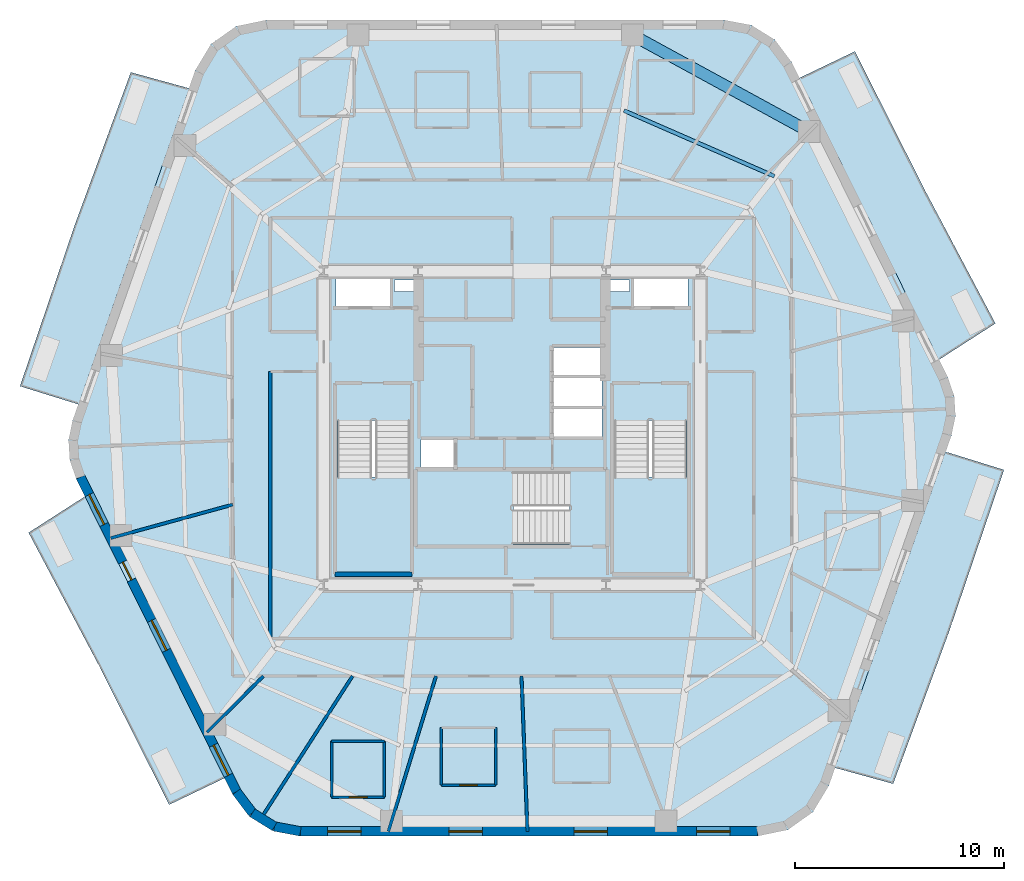
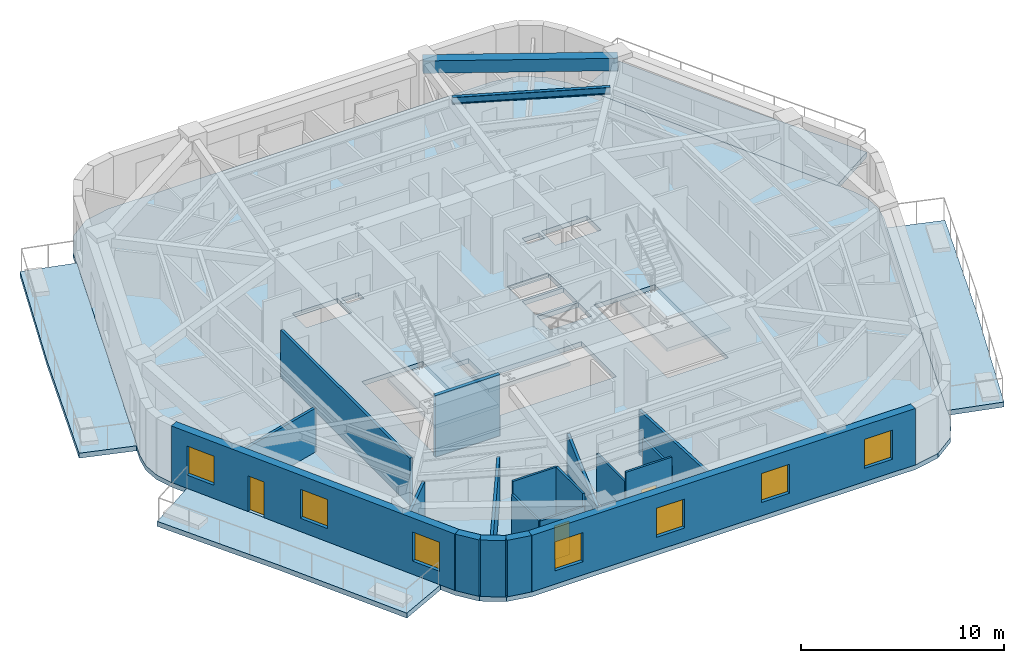
# One storey, part 2 of 10: 19 walls, 8 slabs, 7 windows, 3 doors, 2 beams, 10 openings, 3 elements without a shape of their own.
"""IFC4 building model written with IfcOpenShell, lengths in metres."""

from ifc_helpers import new_model, si_unit, direction, frame, frame_2d, origin, origin_2d, place, context, subcontext, project, spatial, polyline, rectangle, i_section, outline, extrude, material, layer, layer_set, material_profile, profile_set, type_object, element, fill, aggregate, save


model = new_model("IFC4")

# Units and contexts
model_context = context("Model", 3, precision=1e-05, world=origin(), true_north=direction((0.0, 1.0)))
body_context = subcontext(model_context, "Body", "Model", "MODEL_VIEW")
ifc_project = project(units=[si_unit("LENGTHUNIT", "METRE"), si_unit("AREAUNIT", "SQUARE_METRE"), si_unit("VOLUMEUNIT", "CUBIC_METRE"), si_unit("PLANEANGLEUNIT", "RADIAN"), si_unit("MASSUNIT", "GRAM", prefix="KILO")], contexts=[model_context])

# Site, building, storey
site_placement = place(None, origin())
site = spatial("IfcSite", under=ifc_project, at=site_placement, CompositionType="ELEMENT")
building_placement = place(site_placement, origin())
building = spatial("IfcBuilding", under=site, at=building_placement, Name="Kilnhurst Terrace Hotel", CompositionType="ELEMENT")
storey_placement = place(building_placement, frame((0.0, 0.0, 175.60009765625)))
storey = spatial("IfcBuildingStorey", under=building, at=storey_placement, Name="L43", CompositionType="ELEMENT", Elevation=175.60009765625)

# Beams
ifc_material_1 = material(Name="Concrete C50/60", Category="concrete")
ifc_material_profile_1 = material_profile(ifc_material_1, rectangle(XDim=0.550048828125, YDim=0.75, at=origin_2d()), Name="RC550X750")
ifc_profile_set_1 = profile_set([ifc_material_profile_1], Name="Concrete C50/60")
beam_type_1 = type_object("IfcBeamType", Name="BM-SPN-550X750", PredefinedType="SPANDREL", material=ifc_profile_set_1)
beam_1_placement = place(storey_placement, frame((14.2041015625, 14.166015625, 3.02490234375), z_axis=(-0.87766189723, 0.479280287672, 0.0), x_axis=(-0.479280287672, -0.87766189723, 0.0)))
element("IfcBeam", 1, at=beam_1_placement, inside=storey, type_object=beam_type_1, Name="L43 Perimeter Spandrel Beam 6", PredefinedType="SPANDREL", context=body_context, shape_type="SweptSolid", body=[
    extrude(rectangle(XDim=0.550048828125, YDim=0.75, at=origin_2d()), origin(), (0.0, 0.0, 1.0), 9.626953125),
])
ifc_material_2 = material(Name="Steel ASTM A992 Grade 50", Category="steel")
ifc_material_profile_2 = material_profile(ifc_material_2, i_section(OverallWidth=0.180908203125, OverallDepth=0.417236328125, WebThickness=0.010986328125, FlangeThickness=0.018310546875, at=origin_2d()), Name="W16X57")
ifc_profile_set_2 = profile_set([ifc_material_profile_2], Name="Steel ASTM A992 Grade 50")
beam_type_2 = type_object("IfcBeamType", Name="JST-STL-W16X57", PredefinedType="JOIST", material=ifc_profile_set_2)
beam_2_placement = place(storey_placement, frame((12.538818359375, 12.032958984375, 3.19091796875), z_axis=(-0.916443679054, 0.400163695407, 0.0), x_axis=(-0.400163695407, -0.916443679054, 0.0)))
element("IfcBeam", 2, at=beam_2_placement, inside=storey, type_object=beam_type_2, Name="L43 Secondary Floor Steel Joist OUT.6", PredefinedType="JOIST", context=body_context, shape_type="SweptSolid", body=[
    extrude(i_section(OverallWidth=0.180908203125, OverallDepth=0.417236328125, WebThickness=0.010986328125, FlangeThickness=0.018310546875, at=origin_2d()), origin(), (0.0, 0.0, 1.0), 7.84033203125),
])

# Slabs
ifc_layer_1 = layer(ifc_material_1, 0.300048828125, Name="Concrete C50/60")
ifc_layer_set_1 = layer_set([ifc_layer_1], Name="Concrete C50/60")
slab_type_1 = type_object("IfcSlabType", Name="SLB-BAL-300", PredefinedType="FLOOR", material=ifc_layer_set_1)
slab_1_placement = place(storey_placement, frame((0.0, 0.0, -0.300048828125)))
element("IfcSlab", 3, at=slab_1_placement, inside=storey, type_object=slab_type_1, Name="L43 Cantilevered Planted Terrace Slab BAL-L1A", PredefinedType="FLOOR", context=body_context, shape_type="SweptSolid", body=[
    extrude(outline(polyline([(20.892333984375, -9.7119140625), (18.216064453125, -17.0), (15.420654296875, -16.2314453125), (20.708251953125, -1.128662109375), (23.511962890625, -2.0), (20.892333984375, -9.7119140625)])), origin(), (0.0, 0.0, 1.0), 0.300048828125),
])
slab_2_placement = place(storey_placement, frame((0.0, 0.0, -0.300048828125)))
element("IfcSlab", 4, at=slab_2_placement, inside=storey, type_object=slab_type_1, Name="L43 Cantilevered Planted Terrace Slab BAL-L1B", PredefinedType="FLOOR", context=body_context, shape_type="SweptSolid", body=[
    extrude(outline(polyline([(23.100830078125, 5.0), (20.393310546875, 3.25927734375), (13.718505859375, 16.72021484375), (16.384033203125, 18.0), (19.769287109375, 11.293212890625), (23.100830078125, 5.0)])), origin(), (0.0, 0.0, 1.0), 0.300048828125),
])
slab_3_placement = place(storey_placement, frame((0.0, 0.0, -0.300048828125)))
element("IfcSlab", 5, at=slab_3_placement, inside=storey, type_object=slab_type_1, Name="L43 Cantilevered Planted Terrace Slab BAL-L2A", PredefinedType="FLOOR", context=body_context, shape_type="SweptSolid", body=[
    extrude(outline(polyline([(-18.216064453125, 17.0), (-15.420654296875, 16.2314453125), (-20.708251953125, 1.128662109375), (-23.511962890625, 2.0), (-20.892333984375, 9.7119140625), (-18.216064453125, 17.0)])), origin(), (0.0, 0.0, 1.0), 0.300048828125),
])
slab_4_placement = place(storey_placement, frame((0.0, 0.0, -0.300048828125)))
element("IfcSlab", 6, at=slab_4_placement, inside=storey, type_object=slab_type_1, Name="L43 Cantilevered Planted Terrace Slab BAL-L2B", PredefinedType="FLOOR", context=body_context, shape_type="SweptSolid", body=[
    extrude(outline(polyline([(-23.100830078125, -5.0), (-20.393310546875, -3.25927734375), (-13.718505859375, -16.72021484375), (-16.384033203125, -18.0), (-19.769287109375, -11.293212890625), (-23.100830078125, -5.0)])), origin(), (0.0, 0.0, 1.0), 0.300048828125),
])
ifc_layer_2 = layer(ifc_material_1, 0.280029296875, Name="Concrete C50/60")
ifc_layer_set_2 = layer_set([ifc_layer_2], Name="Concrete C50/60")
slab_type_2 = type_object("IfcSlabType", Name="SLB-FLR-280", PredefinedType="FLOOR", material=ifc_layer_set_2)
slab_5_placement = place(storey_placement, frame((0.0, 0.0, -0.280029296875)))
element("IfcSlab", 7, at=slab_5_placement, inside=storey, type_object=slab_type_2, Name="L43 Structural Floor Slab", PredefinedType="FLOOR", context=body_context, shape_type="SweptSolid", body=[
    extrude(outline(polyline([(-13.3544921875, -17.499267578125), (-12.5576171875, -18.5576171875), (-11.431640625, -19.256103515625), (-10.12939453125, -19.5), (11.74365234375, -19.5), (13.18310546875, -19.19970703125), (14.38232421875, -18.348876953125), (15.141357421875, -17.089599609375), (20.9990234375, -0.3583984375), (21.192138671875, 0.57568359375), (21.13330078125, 1.527587890625), (20.82666015625, 2.4306640625), (13.3544921875, 17.499267578125), (12.5576171875, 18.5576171875), (11.431640625, 19.256103515625), (10.12939453125, 19.5), (-11.74365234375, 19.5), (-13.18310546875, 19.19970703125), (-14.38232421875, 18.348876953125), (-15.141357421875, 17.089599609375), (-20.9990234375, 0.3583984375), (-21.192138671875, -0.57568359375), (-21.13330078125, -1.527587890625), (-20.82666015625, -2.4306640625), (-13.3544921875, -17.499267578125)]), holes=[polyline([(2.7548828125, -2.080078125), (2.7548828125, -5.550048828125), (-4.5, -5.550048828125), (-4.5, -2.080078125), (2.7548828125, -2.080078125)]), polyline([(-8.35009765625, 0.35498046875), (-4.8798828125, 0.35498046875), (-4.8798828125, -6.89990234375), (-8.35009765625, -6.89990234375), (-8.35009765625, 0.35498046875)]), polyline([(-2.800048828125, -1.89990234375), (-4.35009765625, -1.89990234375), (-4.35009765625, -0.550048828125), (-2.800048828125, -0.550048828125), (-2.800048828125, -1.89990234375)]), polyline([(1.949951171875, -0.429931640625), (1.949951171875, 0.89990234375), (4.300048828125, 0.89990234375), (4.300048828125, -0.429931640625), (1.949951171875, -0.429931640625)]), polyline([(-8.39990234375, 5.75), (-8.39990234375, 7.14990234375), (-5.800048828125, 7.14990234375), (-5.800048828125, 5.75), (-8.39990234375, 5.75)]), polyline([(-4.659912109375, 6.52001953125), (-5.6201171875, 6.52001953125), (-5.6201171875, 7.080078125), (-4.659912109375, 7.080078125), (-4.659912109375, 6.52001953125)]), polyline([(8.35009765625, 0.35498046875), (8.35009765625, -6.89990234375), (4.8798828125, -6.89990234375), (4.8798828125, 0.35498046875), (8.35009765625, 0.35498046875)]), polyline([(1.949951171875, 1.050048828125), (1.949951171875, 2.3798828125), (4.300048828125, 2.3798828125), (4.300048828125, 1.050048828125), (1.949951171875, 1.050048828125)]), polyline([(4.300048828125, 2.530029296875), (1.949951171875, 2.530029296875), (1.949951171875, 3.860107421875), (4.300048828125, 3.860107421875), (4.300048828125, 2.530029296875)]), polyline([(5.800048828125, 5.75), (5.800048828125, 7.14990234375), (8.39990234375, 7.14990234375), (8.39990234375, 5.75), (5.800048828125, 5.75)]), polyline([(4.659912109375, 6.52001953125), (4.659912109375, 7.080078125), (5.6201171875, 7.080078125), (5.6201171875, 6.52001953125), (4.659912109375, 6.52001953125)])]), origin(), (0.0, 0.0, 1.0), 0.280029296875),
])

# Stair, slab
stair_type = type_object("IfcStairType", Name="STR-CORE-1660", PredefinedType="HALF_TURN_STAIR", material=ifc_material_1)
stair_1_placement = place(storey_placement, origin())
stair_1 = element("IfcStair", 8, at=stair_1_placement, inside=storey, type_object=stair_type, Name="L43 ST-1", PredefinedType="HALF_TURN_STAIR")
ifc_layer_3 = layer(ifc_material_1, 0.199951171875, Name="Concrete C50/60")
ifc_layer_set_3 = layer_set([ifc_layer_3], Name="Concrete C50/60")
slab_type_3 = type_object("IfcSlabType", Name="SLB-ST-LND-200", PredefinedType="LANDING", material=ifc_layer_set_3)
slab_6_placement = place(storey_placement, frame((0.0, 0.0, 1.64990234375)))
slab_6 = element("IfcSlab", 9, at=slab_6_placement, type_object=slab_type_3, Name="ST-1 landing 1", PredefinedType="LANDING", context=body_context, shape_type="SweptSolid", body=[
    extrude(outline(polyline([(-8.429931640625, -2.330078125), (-4.800048828125, -2.330078125), (-4.800048828125, -6.97998046875), (-8.429931640625, -6.97998046875), (-8.429931640625, -2.330078125)])), origin(), (0.0, 0.0, 1.0), 0.199951171875),
])
aggregate(stair_1, [slab_6])

stair_2_placement = place(storey_placement, origin())
stair_2 = element("IfcStair", 10, at=stair_2_placement, inside=storey, type_object=stair_type, Name="L43 ST-2", PredefinedType="HALF_TURN_STAIR")
slab_7_placement = place(storey_placement, frame((0.0, 0.0, 1.64990234375)))
slab_7 = element("IfcSlab", 11, at=slab_7_placement, type_object=slab_type_3, Name="ST-2 landing 1", PredefinedType="LANDING", context=body_context, shape_type="SweptSolid", body=[
    extrude(outline(polyline([(4.800048828125, -2.330078125), (8.429931640625, -2.330078125), (8.429931640625, -6.97998046875), (4.800048828125, -6.97998046875), (4.800048828125, -2.330078125)])), origin(), (0.0, 0.0, 1.0), 0.199951171875),
])
aggregate(stair_2, [slab_7])

stair_3_placement = place(storey_placement, origin())
stair_3 = element("IfcStair", 12, at=stair_3_placement, inside=storey, type_object=stair_type, Name="L43 ST-3", PredefinedType="HALF_TURN_STAIR")
slab_8_placement = place(storey_placement, frame((0.0, 0.0, 1.64990234375)))
slab_8 = element("IfcSlab", 13, at=slab_8_placement, type_object=slab_type_3, Name="ST-3 landing 1", PredefinedType="LANDING", context=body_context, shape_type="SweptSolid", body=[
    extrude(outline(polyline([(0.070068359375, -2.0), (0.070068359375, -5.6298828125), (-4.580078125, -5.6298828125), (-4.580078125, -2.0), (0.070068359375, -2.0)])), origin(), (0.0, 0.0, 1.0), 0.199951171875),
])
aggregate(stair_3, [slab_8])

# Walls
ifc_material_3 = material(Name="Precast concrete C40/50", Category="concrete")
ifc_layer_4 = layer(ifc_material_3, 0.449951171875, Name="Precast concrete C40/50")
ifc_layer_set_4 = layer_set([ifc_layer_4], Name="Precast concrete C40/50")
wall_type_1 = type_object("IfcWallType", Name="WL-BRK-450", PredefinedType="SOLIDWALL", material=ifc_layer_set_4)
wall_1_placement = place(storey_placement, frame((-13.162353515625, -17.380615234375, 0.0), z_axis=(0.0, 0.0, 1.0), x_axis=(0.601515770517, -0.798860925205, 0.0)))
element("IfcWall", 14, at=wall_1_placement, inside=storey, type_object=wall_type_1, Name="L43 Rounded Corner Brick Wall C1.1", PredefinedType="SOLIDWALL", context=body_context, shape_type="SweptSolid", body=[
    extrude(rectangle(XDim=1.261962890625, YDim=0.449951171875, at=frame_2d((0.630859375, 0.0))), origin(), (0.0, 0.0, 1.0), 3.39990234375),
])
wall_2_placement = place(storey_placement, frame((-12.4033203125, -18.388671875, 0.0), z_axis=(0.0, 0.0, 1.0), x_axis=(0.849795170926, -0.527113049991, 0.0)))
element("IfcWall", 15, at=wall_2_placement, inside=storey, type_object=wall_type_1, Name="L43 Rounded Corner Brick Wall C1.2", PredefinedType="SOLIDWALL", context=body_context, shape_type="SweptSolid", body=[
    extrude(rectangle(XDim=1.24072265625, YDim=0.449951171875, at=frame_2d((0.620361328125, 0.0))), origin(), (0.0, 0.0, 1.0), 3.39990234375),
])
wall_3_placement = place(storey_placement, frame((-11.348876953125, -19.042724609375, 0.0), z_axis=(0.0, 0.0, 1.0), x_axis=(0.982931267051, -0.183973161772, 0.0)))
element("IfcWall", 16, at=wall_3_placement, inside=storey, type_object=wall_type_1, Name="L43 Rounded Corner Brick Wall C1.3", PredefinedType="SOLIDWALL", context=body_context, shape_type="SweptSolid", body=[
    extrude(rectangle(XDim=1.261962890625, YDim=0.449951171875, at=frame_2d((0.630859375, 0.0))), origin(), (0.0, 0.0, 1.0), 3.39990234375),
])

# Wall, openings, windows
wall_4_placement = place(storey_placement, frame((-10.1083984375, -19.27490234375, 0.0), z_axis=(0.0, 0.0, 1.0), x_axis=(1.0, 0.0, 0.0)))
wall_4 = element("IfcWall", 17, at=wall_4_placement, inside=storey, type_object=wall_type_1, Name="L43 Exterior Brick Facade Wall F1", PredefinedType="SOLIDWALL", context=body_context, shape_type="SweptSolid", body=[
    extrude(rectangle(XDim=21.828857421875, YDim=0.449951171875, at=frame_2d((10.91455078125, 0.0))), origin(), (0.0, 0.0, 1.0), 3.39990234375),
])
opening_1_placement = place(wall_4_placement, frame((1.297119140625, 0.0, 0.800048828125)))
opening_1 = element("IfcOpeningElement", 18, at=opening_1_placement, cuts=wall_4, Name="Opening W-05", PredefinedType="OPENING", context=body_context, shape_type="SweptSolid", body=[
    extrude(rectangle(XDim=1.60009765625, YDim=1.75, at=frame_2d((0.800048828125, 0.875))), frame((0.0, 0.23486328125, 0.0), z_axis=(0.0, -1.0, 0.0), x_axis=(1.0, 0.0, 0.0)), (0.0, 0.0, 1.0), 0.469970703125),
])
opening_2_placement = place(wall_4_placement, frame((7.090087890625, 0.0, 0.800048828125)))
opening_2 = element("IfcOpeningElement", 19, at=opening_2_placement, cuts=wall_4, Name="Opening W-05", PredefinedType="OPENING", context=body_context, shape_type="SweptSolid", body=[
    extrude(rectangle(XDim=1.60009765625, YDim=1.75, at=frame_2d((0.800048828125, 0.875))), frame((0.0, 0.23486328125, 0.0), z_axis=(0.0, -1.0, 0.0), x_axis=(1.0, 0.0, 0.0)), (0.0, 0.0, 1.0), 0.469970703125),
])
opening_3_placement = place(wall_4_placement, frame((13.072021484375, 0.0, 0.800048828125)))
opening_3 = element("IfcOpeningElement", 20, at=opening_3_placement, cuts=wall_4, Name="Opening W-05", PredefinedType="OPENING", context=body_context, shape_type="SweptSolid", body=[
    extrude(rectangle(XDim=1.60009765625, YDim=1.75, at=frame_2d((0.800048828125, 0.875))), frame((0.0, 0.23486328125, 0.0), z_axis=(0.0, -1.0, 0.0), x_axis=(1.0, 0.0, 0.0)), (0.0, 0.0, 1.0), 0.469970703125),
])
opening_4_placement = place(wall_4_placement, frame((18.93310546875, 0.0, 0.800048828125)))
opening_4 = element("IfcOpeningElement", 21, at=opening_4_placement, cuts=wall_4, Name="Opening W-05", PredefinedType="OPENING", context=body_context, shape_type="SweptSolid", body=[
    extrude(rectangle(XDim=1.60009765625, YDim=1.75, at=frame_2d((0.800048828125, 0.875))), frame((0.0, 0.23486328125, 0.0), z_axis=(0.0, -1.0, 0.0), x_axis=(1.0, 0.0, 0.0)), (0.0, 0.0, 1.0), 0.469970703125),
])
ifc_material_4 = material(Name="Thermally Broken Bronze Aluminium Alloy 6063-T6 and Low-E Glass", Category="aluminium")
window_type = type_object("IfcWindowType", Name="WIN-1600X1750", PartitioningType="SINGLE_PANEL", PredefinedType="WINDOW", material=ifc_material_4)
window_1_placement = place(opening_1_placement, origin())
window_1 = element("IfcWindow", 22, at=window_1_placement, inside=storey, type_object=window_type, Name="L43 Deep-Set Masonry Window F1.1", OverallHeight=1.75, OverallWidth=1.60009765625, PartitioningType="SINGLE_PANEL", PredefinedType="WINDOW", context=body_context, shape_type="SweptSolid", body=[
    extrude(rectangle(XDim=1.60009765625, YDim=1.75, at=frame_2d((0.800048828125, 0.875))), frame((0.0, 0.030029296875, 0.0), z_axis=(0.0, -1.0, 0.0), x_axis=(1.0, 0.0, 0.0)), (0.0, 0.0, 1.0), 0.06005859375),
])
fill(opening_1, window_1)
window_2_placement = place(opening_2_placement, origin())
window_2 = element("IfcWindow", 23, at=window_2_placement, inside=storey, type_object=window_type, Name="L43 Deep-Set Masonry Window F1.2", OverallHeight=1.75, OverallWidth=1.60009765625, PartitioningType="SINGLE_PANEL", PredefinedType="WINDOW", context=body_context, shape_type="SweptSolid", body=[
    extrude(rectangle(XDim=1.60009765625, YDim=1.75, at=frame_2d((0.800048828125, 0.875))), frame((0.0, 0.030029296875, 0.0), z_axis=(0.0, -1.0, 0.0), x_axis=(1.0, 0.0, 0.0)), (0.0, 0.0, 1.0), 0.06005859375),
])
fill(opening_2, window_2)
window_3_placement = place(opening_3_placement, origin())
window_3 = element("IfcWindow", 24, at=window_3_placement, inside=storey, type_object=window_type, Name="L43 Deep-Set Masonry Window F1.3", OverallHeight=1.75, OverallWidth=1.60009765625, PartitioningType="SINGLE_PANEL", PredefinedType="WINDOW", context=body_context, shape_type="SweptSolid", body=[
    extrude(rectangle(XDim=1.60009765625, YDim=1.75, at=frame_2d((0.800048828125, 0.875))), frame((0.0, 0.030029296875, 0.0), z_axis=(0.0, -1.0, 0.0), x_axis=(1.0, 0.0, 0.0)), (0.0, 0.0, 1.0), 0.06005859375),
])
fill(opening_3, window_3)
window_4_placement = place(opening_4_placement, origin())
window_4 = element("IfcWindow", 25, at=window_4_placement, inside=storey, type_object=window_type, Name="L43 Deep-Set Masonry Window F1.4", OverallHeight=1.75, OverallWidth=1.60009765625, PartitioningType="SINGLE_PANEL", PredefinedType="WINDOW", context=body_context, shape_type="SweptSolid", body=[
    extrude(rectangle(XDim=1.60009765625, YDim=1.75, at=frame_2d((0.800048828125, 0.875))), frame((0.0, 0.030029296875, 0.0), z_axis=(0.0, -1.0, 0.0), x_axis=(1.0, 0.0, 0.0)), (0.0, 0.0, 1.0), 0.06005859375),
])
fill(opening_4, window_4)

# Wall, openings, door, windows
wall_5_placement = place(storey_placement, frame((-20.618408203125, -2.343994140625, 0.0), z_axis=(0.0, 0.0, 1.0), x_axis=(0.444243691097, -0.895905990002, 0.0)))
wall_5 = element("IfcWall", 26, at=wall_5_placement, inside=storey, type_object=wall_type_1, Name="L43 Exterior Brick Facade Wall F6", PredefinedType="SOLIDWALL", context=body_context, shape_type="SweptSolid", body=[
    extrude(rectangle(XDim=16.78369140625, YDim=0.449951171875, at=frame_2d((8.391845703125, 0.0))), origin(), (0.0, 0.0, 1.0), 3.39990234375),
])
opening_5_placement = place(wall_5_placement, frame((4.534912109375, 0.0, 0.0)))
opening_5 = element("IfcOpeningElement", 27, at=opening_5_placement, cuts=wall_5, Name="Opening BD-950", PredefinedType="OPENING", context=body_context, shape_type="SweptSolid", body=[
    extrude(rectangle(XDim=0.949951171875, YDim=2.14990234375, at=frame_2d((0.47509765625, 1.074951171875))), frame((0.0, 0.23486328125, 0.0), z_axis=(0.0, -1.0, 0.0), x_axis=(1.0, 0.0, 0.0)), (0.0, 0.0, 1.0), 0.469970703125),
])
opening_6_placement = place(wall_5_placement, frame((0.930908203125, 0.0, 0.800048828125)))
opening_6 = element("IfcOpeningElement", 28, at=opening_6_placement, cuts=wall_5, Name="Opening W-05", PredefinedType="OPENING", context=body_context, shape_type="SweptSolid", body=[
    extrude(rectangle(XDim=1.60009765625, YDim=1.75, at=frame_2d((0.800048828125, 0.875))), frame((0.0, 0.23486328125, 0.0), z_axis=(0.0, -1.0, 0.0), x_axis=(1.0, 0.0, 0.0)), (0.0, 0.0, 1.0), 0.469970703125),
])
opening_7_placement = place(wall_5_placement, frame((7.64208984375, 0.0, 0.800048828125)))
opening_7 = element("IfcOpeningElement", 29, at=opening_7_placement, cuts=wall_5, Name="Opening W-05", PredefinedType="OPENING", context=body_context, shape_type="SweptSolid", body=[
    extrude(rectangle(XDim=1.60009765625, YDim=1.75, at=frame_2d((0.800048828125, 0.875))), frame((0.0, 0.23486328125, 0.0), z_axis=(0.0, -1.0, 0.0), x_axis=(1.0, 0.0, 0.0)), (0.0, 0.0, 1.0), 0.469970703125),
])
opening_8_placement = place(wall_5_placement, frame((14.302978515625, 0.0, 0.800048828125)))
opening_8 = element("IfcOpeningElement", 30, at=opening_8_placement, cuts=wall_5, Name="Opening W-05", PredefinedType="OPENING", context=body_context, shape_type="SweptSolid", body=[
    extrude(rectangle(XDim=1.60009765625, YDim=1.75, at=frame_2d((0.800048828125, 0.875))), frame((0.0, 0.23486328125, 0.0), z_axis=(0.0, -1.0, 0.0), x_axis=(1.0, 0.0, 0.0)), (0.0, 0.0, 1.0), 0.469970703125),
])
ifc_material_5 = material(Name="Thermally Broken Bronze Aluminium Alloy 6063-T6 and Laminated Glass", Category="aluminium")
door_type_1 = type_object("IfcDoorType", Name="DR-EXT-BAL-950", OperationType="NOTDEFINED", PredefinedType="DOOR", material=ifc_material_5)
door_1_placement = place(opening_5_placement, origin())
door_1 = element("IfcDoor", 31, at=door_1_placement, inside=storey, type_object=door_type_1, Name="L43 Planted Balcony Door BAL-L2B", OperationType="SINGLE_SWING_RIGHT", OverallHeight=2.14990234375, OverallWidth=0.949951171875, PredefinedType="DOOR", context=body_context, shape_type="SweptSolid", body=[
    extrude(rectangle(XDim=0.949951171875, YDim=2.14990234375, at=frame_2d((0.47509765625, 1.074951171875))), frame((0.0, 0.02490234375, 0.0), z_axis=(0.0, -1.0, 0.0), x_axis=(1.0, 0.0, 0.0)), (0.0, 0.0, 1.0), 0.050048828125),
])
fill(opening_5, door_1)
window_5_placement = place(opening_6_placement, origin())
window_5 = element("IfcWindow", 32, at=window_5_placement, inside=storey, type_object=window_type, Name="L43 Deep-Set Masonry Window F6.1", OverallHeight=1.75, OverallWidth=1.60009765625, PartitioningType="SINGLE_PANEL", PredefinedType="WINDOW", context=body_context, shape_type="SweptSolid", body=[
    extrude(rectangle(XDim=1.60009765625, YDim=1.75, at=frame_2d((0.800048828125, 0.875))), frame((0.0, 0.030029296875, 0.0), z_axis=(0.0, -1.0, 0.0), x_axis=(1.0, 0.0, 0.0)), (0.0, 0.0, 1.0), 0.06005859375),
])
fill(opening_6, window_5)
window_6_placement = place(opening_7_placement, origin())
window_6 = element("IfcWindow", 33, at=window_6_placement, inside=storey, type_object=window_type, Name="L43 Deep-Set Masonry Window F6.2", OverallHeight=1.75, OverallWidth=1.60009765625, PartitioningType="SINGLE_PANEL", PredefinedType="WINDOW", context=body_context, shape_type="SweptSolid", body=[
    extrude(rectangle(XDim=1.60009765625, YDim=1.75, at=frame_2d((0.800048828125, 0.875))), frame((0.0, 0.030029296875, 0.0), z_axis=(0.0, -1.0, 0.0), x_axis=(1.0, 0.0, 0.0)), (0.0, 0.0, 1.0), 0.06005859375),
])
fill(opening_7, window_6)
window_7_placement = place(opening_8_placement, origin())
window_7 = element("IfcWindow", 34, at=window_7_placement, inside=storey, type_object=window_type, Name="L43 Deep-Set Masonry Window F6.3", OverallHeight=1.75, OverallWidth=1.60009765625, PartitioningType="SINGLE_PANEL", PredefinedType="WINDOW", context=body_context, shape_type="SweptSolid", body=[
    extrude(rectangle(XDim=1.60009765625, YDim=1.75, at=frame_2d((0.800048828125, 0.875))), frame((0.0, 0.030029296875, 0.0), z_axis=(0.0, -1.0, 0.0), x_axis=(1.0, 0.0, 0.0)), (0.0, 0.0, 1.0), 0.06005859375),
])
fill(opening_8, window_7)

# Walls
ifc_material_6 = material(Name="Acoustic Double-Gypsum Corridor Partition Assembly")
ifc_layer_5 = layer(ifc_material_6, 0.14990234375, Name="Acoustic Double-Gypsum Corridor Partition Assembly")
ifc_layer_set_5 = layer_set([ifc_layer_5], Name="Acoustic Double-Gypsum Corridor Partition Assembly")
wall_type_2 = type_object("IfcWallType", Name="WL-COR-150", PredefinedType="PARTITIONING", material=ifc_layer_set_5)
wall_6_placement = place(storey_placement, frame((-11.550048828125, 2.699951171875, 0.0), z_axis=(0.0, 0.0, 1.0), x_axis=(0.0, -1.0, 0.0)))
element("IfcWall", 35, at=wall_6_placement, inside=storey, type_object=wall_type_2, Name="L43 Interior Wall WL-L43-COR-16", PredefinedType="PARTITIONING", context=body_context, shape_type="SweptSolid", body=[
    extrude(rectangle(XDim=12.75, YDim=0.14990234375, at=frame_2d((6.375, 0.0))), origin(), (0.0, 0.0, 1.0), 2.83984375),
])
ifc_material_7 = material(Name="STC-58 Acoustic Twin-Frame Guestroom Demising Partition")
ifc_layer_6 = layer(ifc_material_7, 0.14990234375, Name="STC-58 Acoustic Twin-Frame Guestroom Demising Partition")
ifc_layer_set_6 = layer_set([ifc_layer_6], Name="STC-58 Acoustic Twin-Frame Guestroom Demising Partition")
wall_type_3 = type_object("IfcWallType", Name="WL-DEM-150", PredefinedType="PARTITIONING", material=ifc_layer_set_6)
wall_7_placement = place(storey_placement, frame((-13.35009765625, -3.66064453125, 0.0), z_axis=(0.0, 0.0, 1.0), x_axis=(-0.964397145454, -0.264458211898, 0.0)))
element("IfcWall", 36, at=wall_7_placement, inside=storey, type_object=wall_type_3, Name="L43 Interior Wall WL-L43-DEM-COL07-12-1", PredefinedType="PARTITIONING", context=body_context, shape_type="SweptSolid", body=[
    extrude(rectangle(XDim=6.03857421875, YDim=0.14990234375, at=frame_2d((3.019287109375, 0.0))), origin(), (0.0, 0.0, 1.0), 2.639892578125),
])
wall_8_placement = place(storey_placement, frame((-11.8818359375, -11.85009765625, 0.0), z_axis=(0.0, 0.0, 1.0), x_axis=(-0.708037373639, -0.706174962407, 0.0)))
element("IfcWall", 37, at=wall_8_placement, inside=storey, type_object=wall_type_3, Name="L43 Interior Wall WL-L43-DEM-COL08-13-1", PredefinedType="PARTITIONING", context=body_context, shape_type="SweptSolid", body=[
    extrude(rectangle(XDim=3.801513671875, YDim=0.14990234375, at=frame_2d((1.90087890625, 0.0))), origin(), (0.0, 0.0, 1.0), 2.639892578125),
])
wall_9_placement = place(storey_placement, frame((-7.619140625, -11.85009765625, 0.0), z_axis=(0.0, 0.0, 1.0), x_axis=(-0.540829263478, -0.841132396098, 0.0)))
element("IfcWall", 38, at=wall_9_placement, inside=storey, type_object=wall_type_3, Name="L43 Interior Wall WL-L43-DEM-MID08-14-1", PredefinedType="PARTITIONING", context=body_context, shape_type="SweptSolid", body=[
    extrude(rectangle(XDim=7.919189453125, YDim=0.14990234375, at=frame_2d((3.95947265625, 0.0))), origin(), (0.0, 0.0, 1.0), 2.639892578125),
])
wall_10_placement = place(storey_placement, frame((-3.63134765625, -11.85009765625, 0.0), z_axis=(0.0, 0.0, 1.0), x_axis=(-0.293007573338, -0.956110120209, 0.0)))
element("IfcWall", 39, at=wall_10_placement, inside=storey, type_object=wall_type_3, Name="L43 Interior Wall WL-L43-DEM-COL09-15-1", PredefinedType="PARTITIONING", context=body_context, shape_type="SweptSolid", body=[
    extrude(rectangle(XDim=7.765625, YDim=0.14990234375, at=frame_2d((3.8828125, 0.0))), origin(), (0.0, 0.0, 1.0), 2.639892578125),
])
wall_11_placement = place(storey_placement, frame((0.453857421875, -11.85009765625, 0.0), z_axis=(0.0, 0.0, 1.0), x_axis=(0.038279171143, -0.999267083945, 0.0)))
element("IfcWall", 40, at=wall_11_placement, inside=storey, type_object=wall_type_3, Name="L43 Interior Wall WL-L43-DEM-MID09-16-1", PredefinedType="PARTITIONING", context=body_context, shape_type="SweptSolid", body=[
    extrude(rectangle(XDim=7.43017578125, YDim=0.14990234375, at=frame_2d((3.715087890625, 0.0))), origin(), (0.0, 0.0, 1.0), 2.639892578125),
])

# Wall, opening, door
ifc_material_8 = material(Name="120 mm Moisture-Resistant Tile-Backed Bathroom Partition")
ifc_layer_7 = layer(ifc_material_8, 0.1201171875, Name="120 mm Moisture-Resistant Tile-Backed Bathroom Partition")
ifc_layer_set_7 = layer_set([ifc_layer_7], Name="120 mm Moisture-Resistant Tile-Backed Bathroom Partition")
wall_type_4 = type_object("IfcWallType", Name="WL-PART-120", PredefinedType="PARTITIONING", material=ifc_layer_set_7)
wall_12_placement = place(storey_placement, frame((-8.614013671875, -17.638916015625, 0.0), z_axis=(0.0, 0.0, 1.0), x_axis=(1.0, 0.0, 0.0)))
wall_12 = element("IfcWall", 41, at=wall_12_placement, inside=storey, type_object=wall_type_4, Name="L43 Interior Wall WL-L43-BTH-14-1", PredefinedType="PARTITIONING", context=body_context, shape_type="SweptSolid", body=[
    extrude(rectangle(XDim=2.52001953125, YDim=0.1201171875, at=frame_2d((1.260009765625, 0.0))), origin(), (0.0, 0.0, 1.0), 2.639892578125),
])
opening_9_placement = place(wall_12_placement, frame((0.8349609375, 0.0, 0.0)))
opening_9 = element("IfcOpeningElement", 42, at=opening_9_placement, cuts=wall_12, Name="Opening D-08A", PredefinedType="OPENING", context=body_context, shape_type="SweptSolid", body=[
    extrude(rectangle(XDim=0.85009765625, YDim=2.030029296875, at=frame_2d((0.425048828125, 1.01513671875))), frame((0.0, 0.070068359375, 0.0), z_axis=(0.0, -1.0, 0.0), x_axis=(1.0, 0.0, 0.0)), (0.0, 0.0, 1.0), 0.14013671875),
])
ifc_material_9 = material(Name="Moisture-Resistant Lacquered En-suite Bathroom Door")
door_type_2 = type_object("IfcDoorType", Name="DR-INT-850", OperationType="NOTDEFINED", PredefinedType="DOOR", material=ifc_material_9)
door_2_placement = place(opening_9_placement, origin())
door_2 = element("IfcDoor", 43, at=door_2_placement, inside=storey, type_object=door_type_2, Name="L43 En-suite Bathroom Door 14", OperationType="SINGLE_SWING_LEFT", OverallHeight=2.030029296875, OverallWidth=0.85009765625, PredefinedType="DOOR", context=body_context, shape_type="SweptSolid", body=[
    extrude(rectangle(XDim=0.85009765625, YDim=2.030029296875, at=frame_2d((0.425048828125, 1.01513671875))), frame((0.0, 0.02490234375, 0.0), z_axis=(0.0, -1.0, 0.0), x_axis=(1.0, 0.0, 0.0)), (0.0, 0.0, 1.0), 0.050048828125),
])
fill(opening_9, door_2)

# Walls
wall_13_placement = place(storey_placement, frame((-6.093994140625, -17.638916015625, 0.0), z_axis=(0.0, 0.0, 1.0), x_axis=(0.0, 1.0, 0.0)))
element("IfcWall", 44, at=wall_13_placement, inside=storey, type_object=wall_type_4, Name="L43 Interior Wall WL-L43-BTH-14-2", PredefinedType="PARTITIONING", context=body_context, shape_type="SweptSolid", body=[
    extrude(rectangle(XDim=2.679931640625, YDim=0.1201171875, at=frame_2d((1.33984375, 0.0))), origin(), (0.0, 0.0, 1.0), 3.39990234375),
])
wall_14_placement = place(storey_placement, frame((-6.093994140625, -14.958984375, 0.0), z_axis=(0.0, 0.0, 1.0), x_axis=(-1.0, 0.0, 0.0)))
element("IfcWall", 45, at=wall_14_placement, inside=storey, type_object=wall_type_4, Name="L43 Interior Wall WL-L43-BTH-14-3", PredefinedType="PARTITIONING", context=body_context, shape_type="SweptSolid", body=[
    extrude(rectangle(XDim=2.52001953125, YDim=0.1201171875, at=frame_2d((1.260009765625, 0.0))), origin(), (0.0, 0.0, 1.0), 3.39990234375),
])
wall_15_placement = place(storey_placement, frame((-8.614013671875, -14.958984375, 0.0), z_axis=(0.0, 0.0, 1.0), x_axis=(0.0, -1.0, 0.0)))
element("IfcWall", 46, at=wall_15_placement, inside=storey, type_object=wall_type_4, Name="L43 Interior Wall WL-L43-BTH-14-4", PredefinedType="PARTITIONING", context=body_context, shape_type="SweptSolid", body=[
    extrude(rectangle(XDim=2.679931640625, YDim=0.1201171875, at=frame_2d((1.33984375, 0.0))), origin(), (0.0, 0.0, 1.0), 2.639892578125),
])

# Wall, opening, door
wall_16_placement = place(storey_placement, frame((-3.3798828125, -17.06298828125, 0.0), z_axis=(0.0, 0.0, 1.0), x_axis=(1.0, 0.0, 0.0)))
wall_16 = element("IfcWall", 47, at=wall_16_placement, inside=storey, type_object=wall_type_4, Name="L43 Interior Wall WL-L43-BTH-15-1", PredefinedType="PARTITIONING", context=body_context, shape_type="SweptSolid", body=[
    extrude(rectangle(XDim=2.599853515625, YDim=0.1201171875, at=frame_2d((1.2998046875, 0.0))), origin(), (0.0, 0.0, 1.0), 3.39990234375),
])
opening_10_placement = place(wall_16_placement, frame((0.875, 0.0, 0.0)))
opening_10 = element("IfcOpeningElement", 48, at=opening_10_placement, cuts=wall_16, Name="Opening D-08A", PredefinedType="OPENING", context=body_context, shape_type="SweptSolid", body=[
    extrude(rectangle(XDim=0.85009765625, YDim=2.030029296875, at=frame_2d((0.425048828125, 1.01513671875))), frame((0.0, 0.070068359375, 0.0), z_axis=(0.0, -1.0, 0.0), x_axis=(1.0, 0.0, 0.0)), (0.0, 0.0, 1.0), 0.14013671875),
])
door_3_placement = place(opening_10_placement, origin())
door_3 = element("IfcDoor", 49, at=door_3_placement, inside=storey, type_object=door_type_2, Name="L43 En-suite Bathroom Door 15", OperationType="SINGLE_SWING_RIGHT", OverallHeight=2.030029296875, OverallWidth=0.85009765625, PredefinedType="DOOR", context=body_context, shape_type="SweptSolid", body=[
    extrude(rectangle(XDim=0.85009765625, YDim=2.030029296875, at=frame_2d((0.425048828125, 1.01513671875))), frame((0.0, 0.02490234375, 0.0), z_axis=(0.0, -1.0, 0.0), x_axis=(1.0, 0.0, 0.0)), (0.0, 0.0, 1.0), 0.050048828125),
])
fill(opening_10, door_3)

# Walls
for number, where, z_axis, x_axis, name in (
    (50, (-0.780029296875, -17.06298828125, 0.0), (0.0, 0.0, 1.0), (0.0, 1.0, 0.0), "L43 Interior Wall WL-L43-BTH-15-2"),
    (51, (-3.3798828125, -14.31298828125, 0.0), (0.0, 0.0, 1.0), (0.0, -1.0, 0.0), "L43 Interior Wall WL-L43-BTH-15-4"),
):
    element("IfcWall", number, at=place(storey_placement, frame(where, z_axis=z_axis, x_axis=x_axis)), inside=storey, type_object=wall_type_4, Name=name, PredefinedType="PARTITIONING", context=body_context, shape_type="SweptSolid", body=[
        extrude(rectangle(XDim=2.75, YDim=0.1201171875, at=frame_2d((1.375, 0.0))), origin(), (0.0, 0.0, 1.0), 2.84033203125),
    ])
ifc_layer_8 = layer(ifc_material_1, 0.199951171875, Name="Concrete C50/60")
ifc_layer_set_8 = layer_set([ifc_layer_8], Name="Concrete C50/60")
wall_type_5 = type_object("IfcWallType", Name="WL-STAIR-RC-200", PredefinedType="SHEAR", material=ifc_layer_set_8)
wall_17_placement = place(storey_placement, frame((-8.4580078125, -6.985107421875, 0.0), z_axis=(0.0, 0.0, 1.0), x_axis=(1.0, 0.0, 0.0)))
element("IfcWall", 52, at=wall_17_placement, inside=storey, type_object=wall_type_5, Name="L43 Structural Stair Shaft Wall WL-L43-ST1-S", PredefinedType="SHEAR", context=body_context, shape_type="SweptSolid", body=[
    extrude(rectangle(XDim=3.68603515625, YDim=0.199951171875, at=frame_2d((1.843017578125, 0.0))), origin(), (0.0, 0.0, 1.0), 3.699951171875),
])

save(model, "model.ifc")
